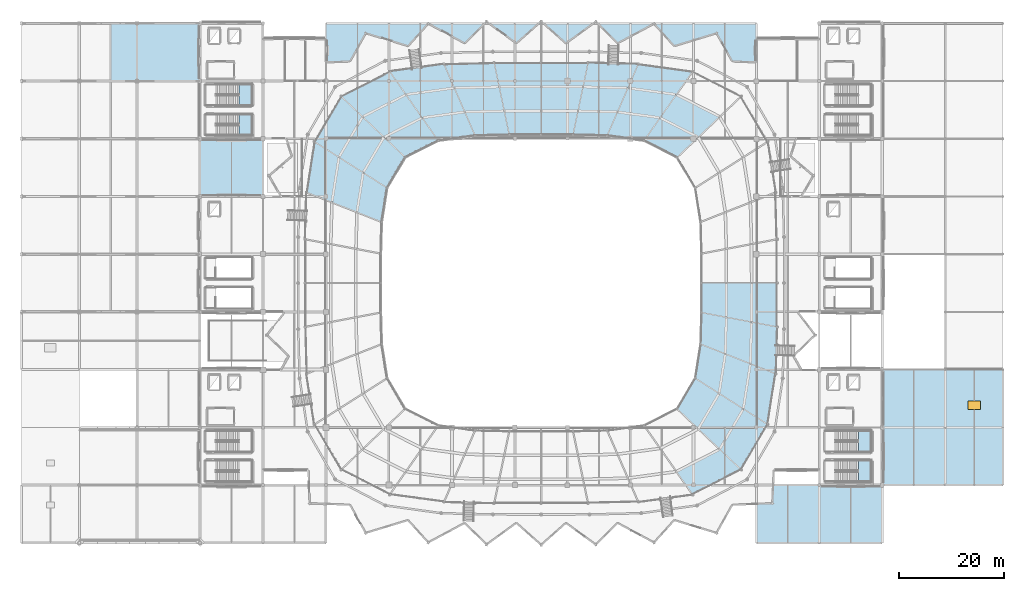
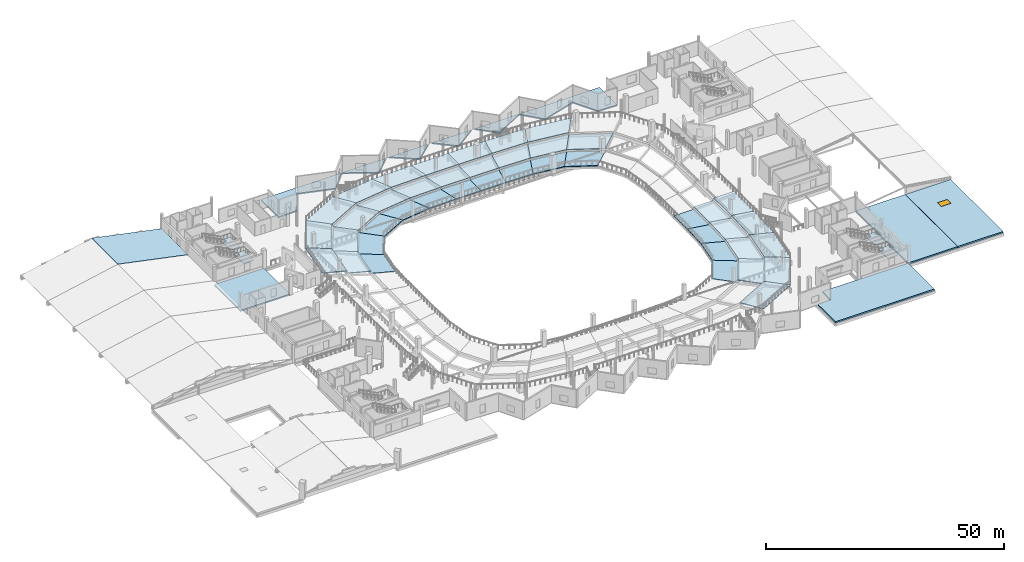
# One storey, part 36 of 77: 55 slabs, 1 window, 1 opening, 4 elements without a shape of their own.
"""IFC4 building model written with IfcOpenShell, lengths in metres."""

from ifc_helpers import new_model, si_unit, direction, frame, origin, origin_2d, place, context, subcontext, project, spatial, polyline, rectangle, outline, extrude, material, layer, layer_set, type_object, element, fill, aggregate, save


model = new_model("IFC4")

# Units and contexts
model_context = context("Model", 3, precision=1e-05, world=origin(), true_north=direction((0.0, 1.0)))
body_context = subcontext(model_context, "Body", "Model", "MODEL_VIEW")
ifc_project = project(units=[si_unit("LENGTHUNIT", "METRE"), si_unit("AREAUNIT", "SQUARE_METRE"), si_unit("VOLUMEUNIT", "CUBIC_METRE"), si_unit("PLANEANGLEUNIT", "RADIAN"), si_unit("MASSUNIT", "GRAM", prefix="KILO")], contexts=[model_context])

# Site, building, storey
site_placement = place(None, origin())
site = spatial("IfcSite", under=ifc_project, at=site_placement, CompositionType="ELEMENT")
building_placement = place(site_placement, origin())
building = spatial("IfcBuilding", under=site, at=building_placement, Name="Luwafu Chhajja Arena", CompositionType="ELEMENT")
storey_placement = place(building_placement, frame((0.0, 0.0, 14.699951171875)))
storey = spatial("IfcBuildingStorey", under=building, at=storey_placement, Name="L03", CompositionType="ELEMENT", Elevation=14.699951171875)

# Slab, opening, window
ifc_material_1 = material(Name="Concrete C35/45", Category="concrete")
ifc_layer_1 = layer(ifc_material_1, 0.360107421875, Name="Concrete C35/45")
ifc_layer_set_1 = layer_set([ifc_layer_1], Name="Concrete C35/45")
slab_type_1 = type_object("IfcSlabType", Name="Core Overrun Structural Roof Cap 360", PredefinedType="ROOF", material=ifc_layer_set_1)
slab_1_placement = place(storey_placement, frame((0.0, 0.0, -0.35986328125)))
slab_1 = element("IfcSlab", 1, at=slab_1_placement, inside=storey, type_object=slab_type_1, Name="L03 Core C8 Roof Slab", PredefinedType="ROOF", context=body_context, shape_type="SweptSolid", body=[
    extrude(outline(polyline([(176.0, 11.0), (187.0, 11.0), (187.0, 33.0), (176.0, 33.0), (176.0, 11.0)])), origin(), (0.0, 0.0, 1.0), 0.35986328125),
])
opening_placement = place(slab_1_placement, frame((181.5, 26.199951171875, -0.010009765625)))
opening = element("IfcOpeningElement", 2, at=opening_placement, cuts=slab_1, Name="Opening SK-03", PredefinedType="OPENING", context=body_context, shape_type="SweptSolid", body=[
    extrude(rectangle(XDim=2.39990234375, YDim=1.60009765625, at=origin_2d()), origin(), (0.0, 0.0, 1.0), 0.3798828125),
])
ifc_material_2 = material(Name="Solar-control laminated glass", Category="glass")
window_type = type_object("IfcWindowType", Name="Core Lobby Smoke-Vent Rooflight 2400x1600", PartitioningType="SINGLE_PANEL", PredefinedType="SKYLIGHT", material=ifc_material_2)
window_placement = place(opening_placement, frame((0.0, 0.0, 0.31982421875)))
window = element("IfcWindow", 3, at=window_placement, inside=storey, type_object=window_type, Name="L03 Roof Skylight and Access Hatch 12", OverallHeight=1.60009765625, OverallWidth=2.39990234375, PartitioningType="SINGLE_PANEL", PredefinedType="SKYLIGHT", context=body_context, shape_type="SweptSolid", body=[
    extrude(rectangle(XDim=2.39990234375, YDim=1.60009765625, at=origin_2d()), origin(), (0.0, 0.0, 1.0), 0.050048828125),
])
fill(opening, window)

# Slabs
slab_2_placement = place(storey_placement, frame((0.0, 0.0, -0.35986328125)))
element("IfcSlab", 4, at=slab_2_placement, inside=storey, type_object=slab_type_1, Name="L03 Podium Structural Roof Slab 02-1", PredefinedType="ROOF", context=body_context, shape_type="SweptSolid", body=[
    extrude(outline(polyline([(164.02001953125, 11.0), (164.02001953125, 33.0), (175.97998046875, 33.0), (175.97998046875, 11.0), (164.02001953125, 11.0)])), origin(), (0.0, 0.0, 1.0), 0.35986328125),
])
slab_3_placement = place(storey_placement, frame((0.0, 0.0, -0.35986328125)))
element("IfcSlab", 5, at=slab_3_placement, inside=storey, type_object=slab_type_1, Name="L03 Podium Structural Roof Slab 03-1", PredefinedType="ROOF", context=body_context, shape_type="SweptSolid", body=[
    extrude(outline(polyline([(152.0, 10.97998046875), (164.0, 10.97998046875), (164.0, 0.0), (140.0, 0.0), (140.0, 7.387939453125), (143.097900390625, 7.510986328125), (143.2548828125, 11.0), (151.97998046875, 10.998046875), (152.0, 10.97998046875)])), origin(), (0.0, 0.0, 1.0), 0.35986328125),
])
slab_4_placement = place(storey_placement, frame((0.0, 0.0, -0.35986328125)))
element("IfcSlab", 6, at=slab_4_placement, inside=storey, type_object=slab_type_1, Name="L03 Podium Structural Roof Slab 05-1", PredefinedType="ROOF", context=body_context, shape_type="SweptSolid", body=[
    extrude(outline(polyline([(34.0, 66.02001953125), (34.0, 76.97998046875), (46.0, 76.97998046875), (46.0, 66.02001953125), (34.0, 66.02001953125)])), origin(), (0.0, 0.0, 1.0), 0.35986328125),
])
slab_5_placement = place(storey_placement, frame((0.0, 0.0, -0.35986328125)))
element("IfcSlab", 7, at=slab_5_placement, inside=storey, type_object=slab_type_1, Name="L03 Podium Structural Roof Slab 08-1", PredefinedType="ROOF", context=body_context, shape_type="SweptSolid", body=[
    extrude(outline(polyline([(62.56201171875, 91.782958984375), (58.02001953125, 91.612060546875), (58.02001953125, 96.0), (58.0, 96.02001953125), (58.0, 99.0), (88.214111328125, 99.0), (84.429931640625, 95.248046875), (77.490966796875, 98.968994140625), (73.6298828125, 94.70703125), (65.571044921875, 97.156005859375), (62.56201171875, 91.782958984375)])), origin(), (0.0, 0.0, 1.0), 0.35986328125),
])
slab_6_placement = place(storey_placement, frame((0.0, 0.0, -0.35986328125)))
element("IfcSlab", 8, at=slab_6_placement, inside=storey, type_object=slab_type_1, Name="L03 Podium Structural Roof Slab 09-1", PredefinedType="ROOF", context=body_context, shape_type="SweptSolid", body=[
    extrude(outline(polyline([(132.422119140625, 97.155029296875), (124.3701171875, 94.70703125), (120.509033203125, 98.968994140625), (113.570068359375, 95.248046875), (109.785888671875, 99.0), (140.0, 99.0), (140.0, 96.02001953125), (139.97998046875, 96.0), (139.97998046875, 91.612060546875), (135.43798828125, 91.782958984375), (132.445068359375, 97.14599609375), (132.422119140625, 97.155029296875)])), origin(), (0.0, 0.0, 1.0), 0.35986328125),
])
slab_7_placement = place(storey_placement, frame((0.0, 0.0, -0.35986328125)))
element("IfcSlab", 9, at=slab_7_placement, inside=storey, type_object=slab_type_1, Name="L03 Podium Structural Roof Slab 10-1", PredefinedType="ROOF", context=body_context, shape_type="SweptSolid", body=[
    extrude(outline(polyline([(89.093017578125, 99.0), (98.51806640625, 99.0), (94.27099609375, 95.236083984375), (89.093017578125, 99.0)])), origin(), (0.0, 0.0, 1.0), 0.35986328125),
])
slab_8_placement = place(storey_placement, frame((0.0, 0.0, -0.35986328125)))
element("IfcSlab", 10, at=slab_8_placement, inside=storey, type_object=slab_type_1, Name="L03 Podium Structural Roof Slab 11-1", PredefinedType="ROOF", context=body_context, shape_type="SweptSolid", body=[
    extrude(outline(polyline([(99.48193359375, 99.0), (108.906982421875, 99.0), (103.72900390625, 95.236083984375), (99.48193359375, 99.0)])), origin(), (0.0, 0.0, 1.0), 0.35986328125),
])

# Stair, slab
stair_type = type_object("IfcStairType", Name="Quadrant Protected Dog-Leg Stair 1920", PredefinedType="HALF_TURN_STAIR", material=ifc_material_1)
stair_1_placement = place(storey_placement, origin())
stair_1 = element("IfcStair", 11, at=stair_1_placement, inside=storey, type_object=stair_type, Name="L03 Protected Escape Stair ST-03", PredefinedType="HALF_TURN_STAIR")
ifc_layer_2 = layer(ifc_material_1, 0.199951171875, Name="Concrete C35/45")
ifc_layer_set_2 = layer_set([ifc_layer_2], Name="Concrete C35/45")
slab_type_2 = type_object("IfcSlabType", Name="Escape Stair Landing Slab 200", PredefinedType="LANDING", material=ifc_layer_set_2)
slab_9_placement = place(storey_placement, frame((0.0, 0.0, 2.199951171875)))
slab_9 = element("IfcSlab", 12, at=slab_9_placement, type_object=slab_type_2, Name="ST-03 landing 1", PredefinedType="LANDING", context=body_context, shape_type="SweptSolid", body=[
    extrude(outline(polyline([(159.43994140625, 11.64990234375), (161.89990234375, 11.64990234375), (161.89990234375, 15.68994140625), (159.43994140625, 15.68994140625), (159.43994140625, 11.64990234375)])), origin(), (0.0, 0.0, 1.0), 0.2001953125),
])
aggregate(stair_1, [slab_9])

stair_2_placement = place(storey_placement, origin())
stair_2 = element("IfcStair", 13, at=stair_2_placement, inside=storey, type_object=stair_type, Name="L03 Protected Escape Stair ST-04", PredefinedType="HALF_TURN_STAIR")
slab_10_placement = place(storey_placement, frame((0.0, 0.0, 2.199951171875)))
slab_10 = element("IfcSlab", 14, at=slab_10_placement, type_object=slab_type_2, Name="ST-04 landing 1", PredefinedType="LANDING", context=body_context, shape_type="SweptSolid", body=[
    extrude(outline(polyline([(159.43994140625, 17.31005859375), (161.89990234375, 17.31005859375), (161.89990234375, 21.35009765625), (159.43994140625, 21.35009765625), (159.43994140625, 17.31005859375)])), origin(), (0.0, 0.0, 1.0), 0.2001953125),
])
aggregate(stair_2, [slab_10])

stair_3_placement = place(storey_placement, origin())
stair_3 = element("IfcStair", 15, at=stair_3_placement, inside=storey, type_object=stair_type, Name="L03 Protected Escape Stair ST-05", PredefinedType="HALF_TURN_STAIR")
slab_11_placement = place(storey_placement, frame((0.0, 0.0, 2.199951171875)))
slab_11 = element("IfcSlab", 16, at=slab_11_placement, type_object=slab_type_2, Name="ST-05 landing 1", PredefinedType="LANDING", context=body_context, shape_type="SweptSolid", body=[
    extrude(outline(polyline([(41.43994140625, 77.64990234375), (43.89990234375, 77.64990234375), (43.89990234375, 81.68994140625), (41.43994140625, 81.68994140625), (41.43994140625, 77.64990234375)])), origin(), (0.0, 0.0, 1.0), 0.2001953125),
])
aggregate(stair_3, [slab_11])

stair_4_placement = place(storey_placement, origin())
stair_4 = element("IfcStair", 17, at=stair_4_placement, inside=storey, type_object=stair_type, Name="L03 Protected Escape Stair ST-06", PredefinedType="HALF_TURN_STAIR")
slab_12_placement = place(storey_placement, frame((0.0, 0.0, 2.199951171875)))
slab_12 = element("IfcSlab", 18, at=slab_12_placement, type_object=slab_type_2, Name="ST-06 landing 1", PredefinedType="LANDING", context=body_context, shape_type="SweptSolid", body=[
    extrude(outline(polyline([(41.43994140625, 83.31005859375), (43.89990234375, 83.31005859375), (43.89990234375, 87.35009765625), (41.43994140625, 87.35009765625), (41.43994140625, 83.31005859375)])), origin(), (0.0, 0.0, 1.0), 0.2001953125),
])
aggregate(stair_4, [slab_12])

# Slabs
ifc_material_3 = material(Name="Precast concrete C40/50", Category="concrete")
ifc_layer_3 = layer(ifc_material_3, 0.2099609375, Name="Precast concrete C40/50")
ifc_layer_set_3 = layer_set([ifc_layer_3], Name="Precast concrete C40/50")
slab_type_3 = type_object("IfcSlabType", Name="Precast Upper Seating Tier Slab 210", PredefinedType="USERDEFINED", material=ifc_layer_set_3)
slab_13_placement = place(storey_placement, frame((0.0, 0.0, 0.6201171875)))
element("IfcSlab", 19, at=slab_13_placement, inside=storey, type_object=slab_type_3, Name="Stand Upper Tier Sector 05 Row Band 1", ObjectType="SEATING TIER", PredefinedType="USERDEFINED", context=body_context, shape_type="SweptSolid", body=[
    extrude(outline(polyline([(124.85986328125, 73.409912109375), (118.57666015625, 76.589111328125), (121.657470703125, 81.0078125), (128.9296875, 77.309814453125), (124.85986328125, 73.409912109375)])), origin(), (0.0, 0.0, 1.0), 0.2099609375),
])
slab_14_placement = place(storey_placement, frame((0.0, 0.0, 1.219970703125)))
element("IfcSlab", 20, at=slab_14_placement, inside=storey, type_object=slab_type_3, Name="Stand Upper Tier Sector 05 Row Band 2", ObjectType="SEATING TIER", PredefinedType="USERDEFINED", context=body_context, shape_type="SweptSolid", body=[
    extrude(outline(polyline([(128.9296875, 77.309814453125), (121.657470703125, 81.0078125), (124.73828125, 85.4267578125), (132.999267578125, 81.210205078125), (128.9296875, 77.309814453125)])), origin(), (0.0, 0.0, 1.0), 0.2099609375),
])
slab_15_placement = place(storey_placement, frame((0.0, 0.0, 0.6201171875)))
element("IfcSlab", 21, at=slab_15_placement, inside=storey, type_object=slab_type_3, Name="Stand Upper Tier Sector 06 Row Band 1", ObjectType="SEATING TIER", PredefinedType="USERDEFINED", context=body_context, shape_type="SweptSolid", body=[
    extrude(outline(polyline([(118.57666015625, 76.589111328125), (111.560302734375, 77.536865234375), (113.537109375, 82.110107421875), (121.657470703125, 81.0078125), (118.57666015625, 76.589111328125)])), origin(), (0.0, 0.0, 1.0), 0.2099609375),
])
slab_16_placement = place(storey_placement, frame((0.0, 0.0, 1.219970703125)))
element("IfcSlab", 22, at=slab_16_placement, inside=storey, type_object=slab_type_3, Name="Stand Upper Tier Sector 06 Row Band 2", ObjectType="SEATING TIER", PredefinedType="USERDEFINED", context=body_context, shape_type="SweptSolid", body=[
    extrude(outline(polyline([(121.657470703125, 81.0078125), (113.537109375, 82.110107421875), (115.513916015625, 86.68359375), (124.73828125, 85.4267578125), (121.657470703125, 81.0078125)])), origin(), (0.0, 0.0, 1.0), 0.2099609375),
])
slab_17_placement = place(storey_placement, frame((0.0, 0.0, 1.820068359375)))
element("IfcSlab", 23, at=slab_17_placement, inside=storey, type_object=slab_type_3, Name="Stand Upper Tier Sector 06 Row Band 3", ObjectType="SEATING TIER", PredefinedType="USERDEFINED", context=body_context, shape_type="SweptSolid", body=[
    extrude(outline(polyline([(124.73828125, 85.4267578125), (115.513916015625, 86.68359375), (117.53173828125, 91.2568359375), (127.883544921875, 89.845458984375), (124.73828125, 85.4267578125)])), origin(), (0.0, 0.0, 1.0), 0.2099609375),
])
slab_18_placement = place(storey_placement, frame((0.0, 0.0, 0.6201171875)))
element("IfcSlab", 24, at=slab_18_placement, inside=storey, type_object=slab_type_3, Name="Stand Upper Tier Sector 07 Row Band 1", ObjectType="SEATING TIER", PredefinedType="USERDEFINED", context=body_context, shape_type="SweptSolid", body=[
    extrude(outline(polyline([(111.560302734375, 77.536865234375), (105.065185546875, 77.6923828125), (106.019775390625, 82.291259765625), (113.537109375, 82.110107421875), (111.560302734375, 77.536865234375)])), origin(), (0.0, 0.0, 1.0), 0.2099609375),
])
slab_19_placement = place(storey_placement, frame((0.0, 0.0, 1.219970703125)))
element("IfcSlab", 25, at=slab_19_placement, inside=storey, type_object=slab_type_3, Name="Stand Upper Tier Sector 07 Row Band 2", ObjectType="SEATING TIER", PredefinedType="USERDEFINED", context=body_context, shape_type="SweptSolid", body=[
    extrude(outline(polyline([(113.537109375, 82.110107421875), (106.019775390625, 82.291259765625), (106.97412109375, 86.889892578125), (115.513916015625, 86.68359375), (113.537109375, 82.110107421875)])), origin(), (0.0, 0.0, 1.0), 0.2099609375),
])
slab_20_placement = place(storey_placement, frame((0.0, 0.0, 1.820068359375)))
element("IfcSlab", 26, at=slab_20_placement, inside=storey, type_object=slab_type_3, Name="Stand Upper Tier Sector 07 Row Band 3", ObjectType="SEATING TIER", PredefinedType="USERDEFINED", context=body_context, shape_type="SweptSolid", body=[
    extrude(outline(polyline([(115.513916015625, 86.68359375), (106.97412109375, 86.889892578125), (107.948486328125, 91.48876953125), (117.53173828125, 91.2568359375), (115.513916015625, 86.68359375)])), origin(), (0.0, 0.0, 1.0), 0.2099609375),
])
slab_21_placement = place(storey_placement, frame((0.0, 0.0, 0.6201171875)))
element("IfcSlab", 27, at=slab_21_placement, inside=storey, type_object=slab_type_3, Name="Stand Upper Tier Sector 08 Row Band 1", ObjectType="SEATING TIER", PredefinedType="USERDEFINED", context=body_context, shape_type="SweptSolid", body=[
    extrude(outline(polyline([(105.065185546875, 77.6923828125), (99.0, 77.699951171875), (99.0, 82.300048828125), (106.019775390625, 82.291259765625), (105.065185546875, 77.6923828125)])), origin(), (0.0, 0.0, 1.0), 0.2099609375),
])
slab_22_placement = place(storey_placement, frame((0.0, 0.0, 1.219970703125)))
element("IfcSlab", 28, at=slab_22_placement, inside=storey, type_object=slab_type_3, Name="Stand Upper Tier Sector 08 Row Band 2", ObjectType="SEATING TIER", PredefinedType="USERDEFINED", context=body_context, shape_type="SweptSolid", body=[
    extrude(outline(polyline([(106.019775390625, 82.291259765625), (99.0, 82.300048828125), (99.0, 86.89990234375), (106.97412109375, 86.889892578125), (106.019775390625, 82.291259765625)])), origin(), (0.0, 0.0, 1.0), 0.2099609375),
])
slab_23_placement = place(storey_placement, frame((0.0, 0.0, 1.820068359375)))
element("IfcSlab", 29, at=slab_23_placement, inside=storey, type_object=slab_type_3, Name="Stand Upper Tier Sector 08 Row Band 3", ObjectType="SEATING TIER", PredefinedType="USERDEFINED", context=body_context, shape_type="SweptSolid", body=[
    extrude(outline(polyline([(106.97412109375, 86.889892578125), (99.0, 86.89990234375), (99.0, 91.5), (107.948486328125, 91.48876953125), (106.97412109375, 86.889892578125)])), origin(), (0.0, 0.0, 1.0), 0.2099609375),
])
slab_24_placement = place(storey_placement, frame((0.0, 0.0, 0.6201171875)))
element("IfcSlab", 30, at=slab_24_placement, inside=storey, type_object=slab_type_3, Name="Stand Upper Tier Sector 09 Row Band 1", ObjectType="SEATING TIER", PredefinedType="USERDEFINED", context=body_context, shape_type="SweptSolid", body=[
    extrude(outline(polyline([(99.0, 77.699951171875), (92.934814453125, 77.6923828125), (91.980224609375, 82.291259765625), (99.0, 82.300048828125), (99.0, 77.699951171875)])), origin(), (0.0, 0.0, 1.0), 0.2099609375),
])
slab_25_placement = place(storey_placement, frame((0.0, 0.0, 1.219970703125)))
element("IfcSlab", 31, at=slab_25_placement, inside=storey, type_object=slab_type_3, Name="Stand Upper Tier Sector 09 Row Band 2", ObjectType="SEATING TIER", PredefinedType="USERDEFINED", context=body_context, shape_type="SweptSolid", body=[
    extrude(outline(polyline([(99.0, 82.300048828125), (91.980224609375, 82.291259765625), (91.02587890625, 86.889892578125), (99.0, 86.89990234375), (99.0, 82.300048828125)])), origin(), (0.0, 0.0, 1.0), 0.2099609375),
])
slab_26_placement = place(storey_placement, frame((0.0, 0.0, 1.820068359375)))
element("IfcSlab", 32, at=slab_26_placement, inside=storey, type_object=slab_type_3, Name="Stand Upper Tier Sector 09 Row Band 3", ObjectType="SEATING TIER", PredefinedType="USERDEFINED", context=body_context, shape_type="SweptSolid", body=[
    extrude(outline(polyline([(99.0, 86.89990234375), (91.02587890625, 86.889892578125), (90.051513671875, 91.48876953125), (99.0, 91.5), (99.0, 86.89990234375)])), origin(), (0.0, 0.0, 1.0), 0.2099609375),
])
slab_27_placement = place(storey_placement, frame((0.0, 0.0, 0.6201171875)))
element("IfcSlab", 33, at=slab_27_placement, inside=storey, type_object=slab_type_3, Name="Stand Upper Tier Sector 10 Row Band 1", ObjectType="SEATING TIER", PredefinedType="USERDEFINED", context=body_context, shape_type="SweptSolid", body=[
    extrude(outline(polyline([(92.934814453125, 77.6923828125), (86.439697265625, 77.536865234375), (84.462890625, 82.110107421875), (91.980224609375, 82.291259765625), (92.934814453125, 77.6923828125)])), origin(), (0.0, 0.0, 1.0), 0.2099609375),
])
slab_28_placement = place(storey_placement, frame((0.0, 0.0, 1.219970703125)))
element("IfcSlab", 34, at=slab_28_placement, inside=storey, type_object=slab_type_3, Name="Stand Upper Tier Sector 10 Row Band 2", ObjectType="SEATING TIER", PredefinedType="USERDEFINED", context=body_context, shape_type="SweptSolid", body=[
    extrude(outline(polyline([(91.980224609375, 82.291259765625), (84.462890625, 82.110107421875), (82.486083984375, 86.68359375), (91.02587890625, 86.889892578125), (91.980224609375, 82.291259765625)])), origin(), (0.0, 0.0, 1.0), 0.2099609375),
])
slab_29_placement = place(storey_placement, frame((0.0, 0.0, 1.820068359375)))
element("IfcSlab", 35, at=slab_29_placement, inside=storey, type_object=slab_type_3, Name="Stand Upper Tier Sector 10 Row Band 3", ObjectType="SEATING TIER", PredefinedType="USERDEFINED", context=body_context, shape_type="SweptSolid", body=[
    extrude(outline(polyline([(91.02587890625, 86.889892578125), (82.486083984375, 86.68359375), (80.46826171875, 91.2568359375), (90.051513671875, 91.48876953125), (91.02587890625, 86.889892578125)])), origin(), (0.0, 0.0, 1.0), 0.2099609375),
])
slab_30_placement = place(storey_placement, frame((0.0, 0.0, 0.6201171875)))
element("IfcSlab", 36, at=slab_30_placement, inside=storey, type_object=slab_type_3, Name="Stand Upper Tier Sector 11 Row Band 1", ObjectType="SEATING TIER", PredefinedType="USERDEFINED", context=body_context, shape_type="SweptSolid", body=[
    extrude(outline(polyline([(86.439697265625, 77.536865234375), (79.42333984375, 76.589111328125), (76.342529296875, 81.0078125), (84.462890625, 82.110107421875), (86.439697265625, 77.536865234375)])), origin(), (0.0, 0.0, 1.0), 0.2099609375),
])
slab_31_placement = place(storey_placement, frame((0.0, 0.0, 1.219970703125)))
element("IfcSlab", 37, at=slab_31_placement, inside=storey, type_object=slab_type_3, Name="Stand Upper Tier Sector 11 Row Band 2", ObjectType="SEATING TIER", PredefinedType="USERDEFINED", context=body_context, shape_type="SweptSolid", body=[
    extrude(outline(polyline([(84.462890625, 82.110107421875), (76.342529296875, 81.0078125), (73.26171875, 85.4267578125), (82.486083984375, 86.68359375), (84.462890625, 82.110107421875)])), origin(), (0.0, 0.0, 1.0), 0.2099609375),
])
slab_32_placement = place(storey_placement, frame((0.0, 0.0, 1.820068359375)))
element("IfcSlab", 38, at=slab_32_placement, inside=storey, type_object=slab_type_3, Name="Stand Upper Tier Sector 11 Row Band 3", ObjectType="SEATING TIER", PredefinedType="USERDEFINED", context=body_context, shape_type="SweptSolid", body=[
    extrude(outline(polyline([(82.486083984375, 86.68359375), (73.26171875, 85.4267578125), (70.116455078125, 89.845458984375), (80.46826171875, 91.2568359375), (82.486083984375, 86.68359375)])), origin(), (0.0, 0.0, 1.0), 0.2099609375),
])
slab_33_placement = place(storey_placement, frame((0.0, 0.0, 0.6201171875)))
element("IfcSlab", 39, at=slab_33_placement, inside=storey, type_object=slab_type_3, Name="Stand Upper Tier Sector 12 Row Band 1", ObjectType="SEATING TIER", PredefinedType="USERDEFINED", context=body_context, shape_type="SweptSolid", body=[
    extrude(outline(polyline([(79.42333984375, 76.589111328125), (73.14013671875, 73.409912109375), (69.0703125, 77.309814453125), (76.342529296875, 81.0078125), (79.42333984375, 76.589111328125)])), origin(), (0.0, 0.0, 1.0), 0.2099609375),
])
slab_34_placement = place(storey_placement, frame((0.0, 0.0, 1.219970703125)))
element("IfcSlab", 40, at=slab_34_placement, inside=storey, type_object=slab_type_3, Name="Stand Upper Tier Sector 12 Row Band 2", ObjectType="SEATING TIER", PredefinedType="USERDEFINED", context=body_context, shape_type="SweptSolid", body=[
    extrude(outline(polyline([(76.342529296875, 81.0078125), (69.0703125, 77.309814453125), (65.000732421875, 81.210205078125), (73.26171875, 85.4267578125), (76.342529296875, 81.0078125)])), origin(), (0.0, 0.0, 1.0), 0.2099609375),
])
slab_35_placement = place(storey_placement, frame((0.0, 0.0, 1.820068359375)))
element("IfcSlab", 41, at=slab_35_placement, inside=storey, type_object=slab_type_3, Name="Stand Upper Tier Sector 12 Row Band 3", ObjectType="SEATING TIER", PredefinedType="USERDEFINED", context=body_context, shape_type="SweptSolid", body=[
    extrude(outline(polyline([(73.26171875, 85.4267578125), (65.000732421875, 81.210205078125), (60.84619140625, 85.1103515625), (70.116455078125, 89.845458984375), (73.26171875, 85.4267578125)])), origin(), (0.0, 0.0, 1.0), 0.2099609375),
])
slab_36_placement = place(storey_placement, frame((0.0, 0.0, 0.6201171875)))
element("IfcSlab", 42, at=slab_36_placement, inside=storey, type_object=slab_type_3, Name="Stand Upper Tier Sector 13 Row Band 1", ObjectType="SEATING TIER", PredefinedType="USERDEFINED", context=body_context, shape_type="SweptSolid", body=[
    extrude(outline(polyline([(73.14013671875, 73.409912109375), (69.701416015625, 67.600341796875), (65.090576171875, 70.552978515625), (69.0703125, 77.309814453125), (73.14013671875, 73.409912109375)])), origin(), (0.0, 0.0, 1.0), 0.2099609375),
])
slab_37_placement = place(storey_placement, frame((0.0, 0.0, 1.219970703125)))
element("IfcSlab", 43, at=slab_37_placement, inside=storey, type_object=slab_type_3, Name="Stand Upper Tier Sector 13 Row Band 2", ObjectType="SEATING TIER", PredefinedType="USERDEFINED", context=body_context, shape_type="SweptSolid", body=[
    extrude(outline(polyline([(69.0703125, 77.309814453125), (65.090576171875, 70.552978515625), (60.479736328125, 73.50537109375), (65.000732421875, 81.210205078125), (69.0703125, 77.309814453125)])), origin(), (0.0, 0.0, 1.0), 0.2099609375),
])
slab_38_placement = place(storey_placement, frame((0.0, 0.0, 1.820068359375)))
element("IfcSlab", 44, at=slab_38_placement, inside=storey, type_object=slab_type_3, Name="Stand Upper Tier Sector 13 Row Band 3", ObjectType="SEATING TIER", PredefinedType="USERDEFINED", context=body_context, shape_type="SweptSolid", body=[
    extrude(outline(polyline([(65.000732421875, 81.210205078125), (60.479736328125, 73.50537109375), (55.772705078125, 76.4580078125), (60.84619140625, 85.1103515625), (65.000732421875, 81.210205078125)])), origin(), (0.0, 0.0, 1.0), 0.2099609375),
])
slab_39_placement = place(storey_placement, frame((0.0, 0.0, 0.6201171875)))
element("IfcSlab", 45, at=slab_39_placement, inside=storey, type_object=slab_type_3, Name="Stand Upper Tier Sector 14 Row Band 1", ObjectType="SEATING TIER", PredefinedType="USERDEFINED", context=body_context, shape_type="SweptSolid", body=[
    extrude(outline(polyline([(69.701416015625, 67.600341796875), (68.676513671875, 61.11328125), (63.904296875, 63.007568359375), (65.090576171875, 70.552978515625), (69.701416015625, 67.600341796875)])), origin(), (0.0, 0.0, 1.0), 0.2099609375),
])
slab_40_placement = place(storey_placement, frame((0.0, 0.0, 1.219970703125)))
element("IfcSlab", 46, at=slab_40_placement, inside=storey, type_object=slab_type_3, Name="Stand Upper Tier Sector 14 Row Band 2", ObjectType="SEATING TIER", PredefinedType="USERDEFINED", context=body_context, shape_type="SweptSolid", body=[
    extrude(outline(polyline([(65.090576171875, 70.552978515625), (63.904296875, 63.007568359375), (59.132080078125, 64.90185546875), (60.479736328125, 73.50537109375), (65.090576171875, 70.552978515625)])), origin(), (0.0, 0.0, 1.0), 0.2099609375),
])
slab_41_placement = place(storey_placement, frame((0.0, 0.0, 1.820068359375)))
element("IfcSlab", 47, at=slab_41_placement, inside=storey, type_object=slab_type_3, Name="Stand Upper Tier Sector 14 Row Band 3", ObjectType="SEATING TIER", PredefinedType="USERDEFINED", context=body_context, shape_type="SweptSolid", body=[
    extrude(outline(polyline([(60.479736328125, 73.50537109375), (59.132080078125, 64.90185546875), (54.260498046875, 66.79638671875), (55.772705078125, 76.4580078125), (60.479736328125, 73.50537109375)])), origin(), (0.0, 0.0, 1.0), 0.2099609375),
])
slab_42_placement = place(storey_placement, frame((0.0, 0.0, 1.820068359375)))
element("IfcSlab", 48, at=slab_42_placement, inside=storey, type_object=slab_type_3, Name="Stand Upper Tier Sector 28 Row Band 3", ObjectType="SEATING TIER", PredefinedType="USERDEFINED", context=body_context, shape_type="SweptSolid", body=[
    extrude(outline(polyline([(124.73828125, 13.5732421875), (132.999267578125, 17.789794921875), (137.15380859375, 13.8896484375), (127.883544921875, 9.154541015625), (124.73828125, 13.5732421875)])), origin(), (0.0, 0.0, 1.0), 0.2099609375),
])
slab_43_placement = place(storey_placement, frame((0.0, 0.0, 0.6201171875)))
element("IfcSlab", 49, at=slab_43_placement, inside=storey, type_object=slab_type_3, Name="Stand Upper Tier Sector 29 Row Band 1", ObjectType="SEATING TIER", PredefinedType="USERDEFINED", context=body_context, shape_type="SweptSolid", body=[
    extrude(outline(polyline([(124.85986328125, 25.590087890625), (128.298583984375, 31.399658203125), (132.909423828125, 28.447021484375), (128.9296875, 21.690185546875), (124.85986328125, 25.590087890625)])), origin(), (0.0, 0.0, 1.0), 0.2099609375),
])
slab_44_placement = place(storey_placement, frame((0.0, 0.0, 1.219970703125)))
element("IfcSlab", 50, at=slab_44_placement, inside=storey, type_object=slab_type_3, Name="Stand Upper Tier Sector 29 Row Band 2", ObjectType="SEATING TIER", PredefinedType="USERDEFINED", context=body_context, shape_type="SweptSolid", body=[
    extrude(outline(polyline([(128.9296875, 21.690185546875), (132.909423828125, 28.447021484375), (137.520263671875, 25.49462890625), (132.999267578125, 17.789794921875), (128.9296875, 21.690185546875)])), origin(), (0.0, 0.0, 1.0), 0.2099609375),
])
slab_45_placement = place(storey_placement, frame((0.0, 0.0, 1.820068359375)))
element("IfcSlab", 51, at=slab_45_placement, inside=storey, type_object=slab_type_3, Name="Stand Upper Tier Sector 29 Row Band 3", ObjectType="SEATING TIER", PredefinedType="USERDEFINED", context=body_context, shape_type="SweptSolid", body=[
    extrude(outline(polyline([(132.999267578125, 17.789794921875), (137.520263671875, 25.49462890625), (142.227294921875, 22.5419921875), (137.15380859375, 13.8896484375), (132.999267578125, 17.789794921875)])), origin(), (0.0, 0.0, 1.0), 0.2099609375),
])
slab_46_placement = place(storey_placement, frame((0.0, 0.0, 0.6201171875)))
element("IfcSlab", 52, at=slab_46_placement, inside=storey, type_object=slab_type_3, Name="Stand Upper Tier Sector 30 Row Band 1", ObjectType="SEATING TIER", PredefinedType="USERDEFINED", context=body_context, shape_type="SweptSolid", body=[
    extrude(outline(polyline([(128.298583984375, 31.399658203125), (129.323486328125, 37.88671875), (134.095703125, 35.992431640625), (132.909423828125, 28.447021484375), (128.298583984375, 31.399658203125)])), origin(), (0.0, 0.0, 1.0), 0.2099609375),
])
slab_47_placement = place(storey_placement, frame((0.0, 0.0, 1.219970703125)))
element("IfcSlab", 53, at=slab_47_placement, inside=storey, type_object=slab_type_3, Name="Stand Upper Tier Sector 30 Row Band 2", ObjectType="SEATING TIER", PredefinedType="USERDEFINED", context=body_context, shape_type="SweptSolid", body=[
    extrude(outline(polyline([(132.909423828125, 28.447021484375), (134.095703125, 35.992431640625), (138.867919921875, 34.09814453125), (137.520263671875, 25.49462890625), (132.909423828125, 28.447021484375)])), origin(), (0.0, 0.0, 1.0), 0.2099609375),
])
slab_48_placement = place(storey_placement, frame((0.0, 0.0, 1.820068359375)))
element("IfcSlab", 54, at=slab_48_placement, inside=storey, type_object=slab_type_3, Name="Stand Upper Tier Sector 30 Row Band 3", ObjectType="SEATING TIER", PredefinedType="USERDEFINED", context=body_context, shape_type="SweptSolid", body=[
    extrude(outline(polyline([(137.520263671875, 25.49462890625), (138.867919921875, 34.09814453125), (143.739501953125, 32.20361328125), (142.227294921875, 22.5419921875), (137.520263671875, 25.49462890625)])), origin(), (0.0, 0.0, 1.0), 0.2099609375),
])
slab_49_placement = place(storey_placement, frame((0.0, 0.0, 0.6201171875)))
element("IfcSlab", 55, at=slab_49_placement, inside=storey, type_object=slab_type_3, Name="Stand Upper Tier Sector 31 Row Band 1", ObjectType="SEATING TIER", PredefinedType="USERDEFINED", context=body_context, shape_type="SweptSolid", body=[
    extrude(outline(polyline([(129.323486328125, 37.88671875), (129.49169921875, 43.89208984375), (134.29052734375, 42.977294921875), (134.095703125, 35.992431640625), (129.323486328125, 37.88671875)])), origin(), (0.0, 0.0, 1.0), 0.2099609375),
])
slab_50_placement = place(storey_placement, frame((0.0, 0.0, 1.219970703125)))
element("IfcSlab", 56, at=slab_50_placement, inside=storey, type_object=slab_type_3, Name="Stand Upper Tier Sector 31 Row Band 2", ObjectType="SEATING TIER", PredefinedType="USERDEFINED", context=body_context, shape_type="SweptSolid", body=[
    extrude(outline(polyline([(134.095703125, 35.992431640625), (134.29052734375, 42.977294921875), (139.089111328125, 42.062744140625), (138.867919921875, 34.09814453125), (134.095703125, 35.992431640625)])), origin(), (0.0, 0.0, 1.0), 0.2099609375),
])
slab_51_placement = place(storey_placement, frame((0.0, 0.0, 1.820068359375)))
element("IfcSlab", 57, at=slab_51_placement, inside=storey, type_object=slab_type_3, Name="Stand Upper Tier Sector 31 Row Band 3", ObjectType="SEATING TIER", PredefinedType="USERDEFINED", context=body_context, shape_type="SweptSolid", body=[
    extrude(outline(polyline([(138.867919921875, 34.09814453125), (139.089111328125, 42.062744140625), (143.98779296875, 41.14794921875), (143.739501953125, 32.20361328125), (138.867919921875, 34.09814453125)])), origin(), (0.0, 0.0, 1.0), 0.2099609375),
])
slab_52_placement = place(storey_placement, frame((0.0, 0.0, 0.6201171875)))
element("IfcSlab", 58, at=slab_52_placement, inside=storey, type_object=slab_type_3, Name="Stand Upper Tier Sector 32 Row Band 1", ObjectType="SEATING TIER", PredefinedType="USERDEFINED", context=body_context, shape_type="SweptSolid", body=[
    extrude(outline(polyline([(129.49169921875, 43.89208984375), (129.5, 49.5), (134.300048828125, 49.5), (134.29052734375, 42.977294921875), (129.49169921875, 43.89208984375)])), origin(), (0.0, 0.0, 1.0), 0.2099609375),
])
slab_53_placement = place(storey_placement, frame((0.0, 0.0, 1.219970703125)))
element("IfcSlab", 59, at=slab_53_placement, inside=storey, type_object=slab_type_3, Name="Stand Upper Tier Sector 32 Row Band 2", ObjectType="SEATING TIER", PredefinedType="USERDEFINED", context=body_context, shape_type="SweptSolid", body=[
    extrude(outline(polyline([(134.29052734375, 42.977294921875), (134.300048828125, 49.5), (139.10009765625, 49.5), (139.089111328125, 42.062744140625), (134.29052734375, 42.977294921875)])), origin(), (0.0, 0.0, 1.0), 0.2099609375),
])
slab_54_placement = place(storey_placement, frame((0.0, 0.0, 1.820068359375)))
element("IfcSlab", 60, at=slab_54_placement, inside=storey, type_object=slab_type_3, Name="Stand Upper Tier Sector 32 Row Band 3", ObjectType="SEATING TIER", PredefinedType="USERDEFINED", context=body_context, shape_type="SweptSolid", body=[
    extrude(outline(polyline([(139.089111328125, 42.062744140625), (139.10009765625, 49.5), (144.0, 49.5), (143.98779296875, 41.14794921875), (139.089111328125, 42.062744140625)])), origin(), (0.0, 0.0, 1.0), 0.2099609375),
])
ifc_layer_4 = layer(ifc_material_3, 0.159912109375, Name="Precast concrete C40/50")
ifc_layer_set_4 = layer_set([ifc_layer_4], Name="Precast concrete C40/50")
slab_type_4 = type_object("IfcSlabType", Name="Warm-Up Court Acoustic Roof Slab 160", PredefinedType="ROOF", material=ifc_layer_set_4)
slab_55_placement = place(storey_placement, frame((17.0, 88.0, 4.449951171875), z_axis=(0.20165292067, 0.0, 0.979457043257), x_axis=(0.979457043257, 0.0, -0.20165292067)))
element("IfcSlab", 61, at=slab_55_placement, inside=storey, type_object=slab_type_4, Name="Warm-Up Court East Pitched Roof Slab 8", PredefinedType="ROOF", context=body_context, shape_type="SweptSolid", body=[
    extrude(outline(polyline([(0.0, 0.0), (17.356554957709783, 0.0), (17.356554957709783, 10.999999999999998), (0.0, 10.999999999999998), (0.0, 0.0)])), origin(), (0.0, 0.0, -1.0), 0.159912109375),
])

save(model, "model.ifc")
